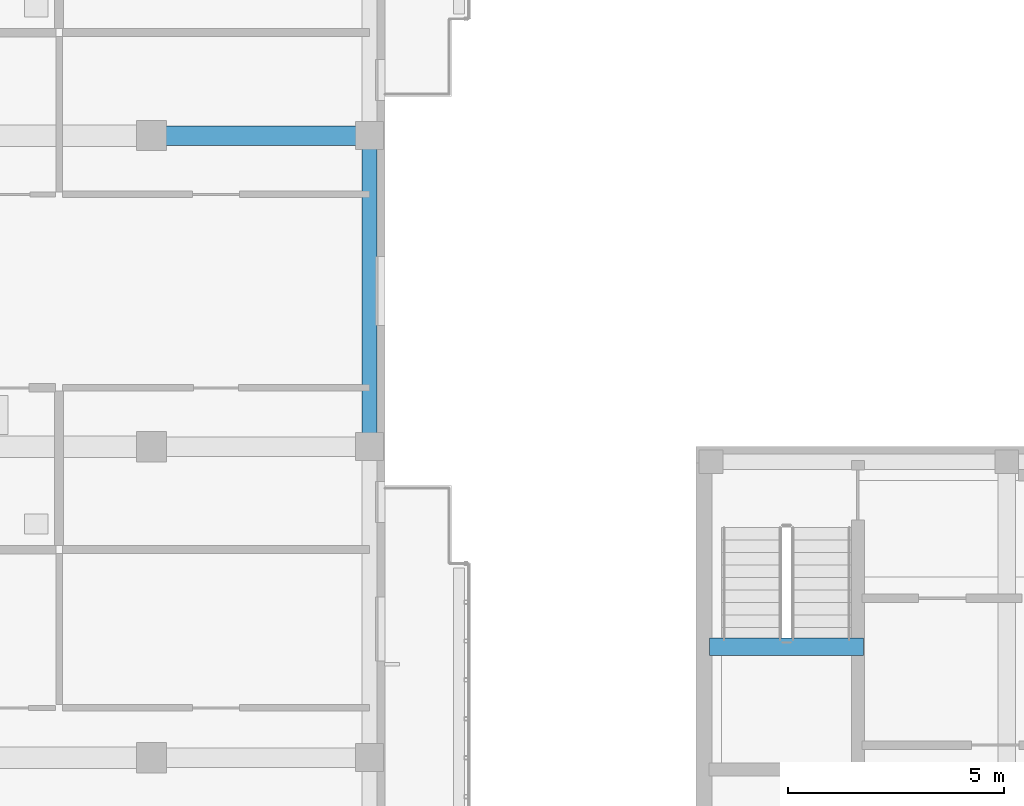
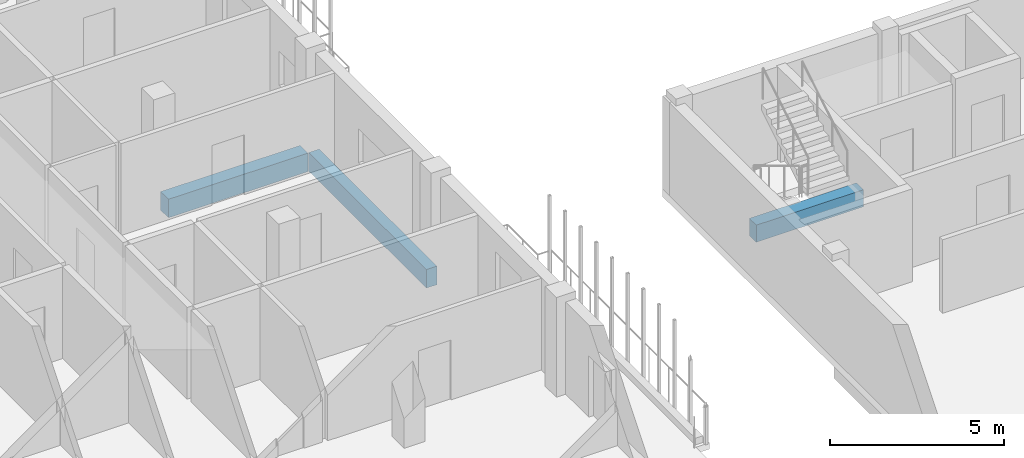
# One storey, part 7 of 73: 3 beams.
"""IFC4 building model written with IfcOpenShell, lengths in metres."""

from ifc_helpers import new_model, si_unit, derived_unit, direction, frame, origin, origin_2d, place, context, subcontext, project, spatial, rectangle, extrude, material, material_profile, profile_set, type_object, element, save


model = new_model("IFC4")

# Units and contexts
model_context = context("Model", 3, precision=1e-05, world=origin(), true_north=direction((0.0, 1.0)))
body_context = subcontext(model_context, "Body", "Model", "MODEL_VIEW")
ifc_project = project(units=[si_unit("LENGTHUNIT", "METRE"), si_unit("AREAUNIT", "SQUARE_METRE"), si_unit("VOLUMEUNIT", "CUBIC_METRE"), si_unit("PLANEANGLEUNIT", "RADIAN"), si_unit("MASSUNIT", "GRAM", prefix="KILO"), derived_unit("THERMALTRANSMITTANCEUNIT", [(si_unit("MASSUNIT", "GRAM", prefix="KILO"), 1), (si_unit("TIMEUNIT", "SECOND"), -3), (si_unit("THERMODYNAMICTEMPERATUREUNIT", "KELVIN"), -1)])], contexts=[model_context])

# Site, building, storey
site_placement = place(None, origin())
site = spatial("IfcSite", under=ifc_project, at=site_placement, CompositionType="ELEMENT")
building_placement = place(site_placement, origin())
building = spatial("IfcBuilding", under=site, at=building_placement, Name="Ochrekiln Boulevard Commons", CompositionType="ELEMENT")
storey_placement = place(building_placement, frame((0.0, 0.0, 8.574951171875)))
storey = spatial("IfcBuildingStorey", under=building, at=storey_placement, Name="L02", CompositionType="ELEMENT", Elevation=8.574951171875)

# Beams
ifc_material_1 = material(Name="Concrete C35/45", Category="concrete")
ifc_material_profile_1 = material_profile(ifc_material_1, rectangle(XDim=0.39990234375, YDim=0.60009765625, at=origin_2d()), Name="RC-BM-400x600")
ifc_profile_set_1 = profile_set([ifc_material_profile_1], Name="Concrete C35/45")
beam_type_1 = type_object("IfcBeamType", Name="BM-RC-400x600", PredefinedType="BEAM", material=ifc_profile_set_1)
beam_1_placement = place(storey_placement, frame((29.1201171875, 16.969970703125, 1.239990234375), z_axis=(1.0, 0.0, 0.0), x_axis=(0.0, 1.0, 0.0)))
element("IfcBeam", 1, at=beam_1_placement, inside=storey, type_object=beam_type_1, Name="Stair ST-W1 L02 Half-Landing Support Beam B-4060", PredefinedType="BEAM", context=body_context, shape_type="SweptSolid", body=[
    extrude(rectangle(XDim=0.39990234375, YDim=0.60009765625, at=origin_2d()), origin(), (0.0, 0.0, 1.0), 3.559814453125),
])
ifc_material_profile_2 = material_profile(ifc_material_1, rectangle(XDim=0.449951171875, YDim=0.64990234375, at=origin_2d()), Name="RC-BM-450x650")
ifc_profile_set_2 = profile_set([ifc_material_profile_2], Name="Concrete C35/45")
beam_type_2 = type_object("IfcBeamType", Name="BM-RC-450x650", PredefinedType="BEAM", material=ifc_profile_set_2)
beam_2_placement = place(storey_placement, frame((16.409912109375, 28.800048828125, -0.5849609375), z_axis=(1.0, 0.0, 0.0), x_axis=(0.0, 1.0, 0.0)))
element("IfcBeam", 2, at=beam_2_placement, inside=storey, type_object=beam_type_2, Name="Block D L02 Beam B-4565 X14", PredefinedType="BEAM", context=body_context, shape_type="SweptSolid", body=[
    extrude(rectangle(XDim=0.449951171875, YDim=0.64990234375, at=origin_2d()), origin(), (0.0, 0.0, 1.0), 4.630126953125),
])
ifc_material_2 = material(Name="Concrete C40/50", Category="concrete")
ifc_material_profile_3 = material_profile(ifc_material_2, rectangle(XDim=0.35009765625, YDim=0.64990234375, at=origin_2d()), Name="RC-SPN-350x650")
ifc_profile_set_3 = profile_set([ifc_material_profile_3], Name="Concrete C40/50")
beam_type_3 = type_object("IfcBeamType", Name="SPN-RC-350x650", PredefinedType="SPANDREL", material=ifc_profile_set_3)
beam_3_placement = place(storey_placement, frame((21.25, 21.81005859375, -0.5849609375), z_axis=(0.0, 1.0, 0.0), x_axis=(-1.0, 0.0, 0.0)))
element("IfcBeam", 3, at=beam_3_placement, inside=storey, type_object=beam_type_3, Name="Block D L02 Beam SP-3565 Y33", PredefinedType="SPANDREL", context=body_context, shape_type="SweptSolid", body=[
    extrude(rectangle(XDim=0.35009765625, YDim=0.64990234375, at=origin_2d()), origin(), (0.0, 0.0, 1.0), 6.780029296875),
])

save(model, "model.ifc")
